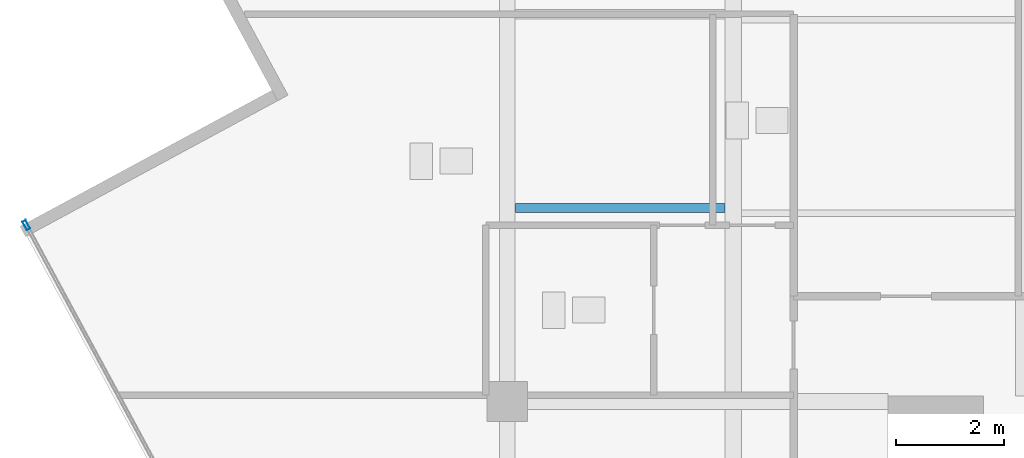
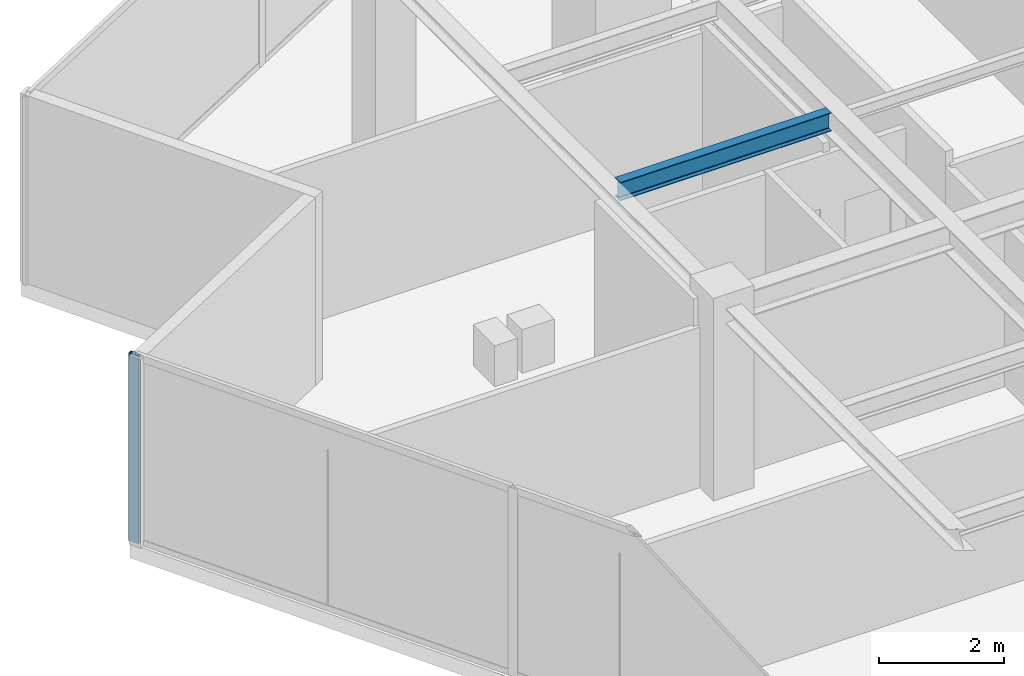
# One storey, part 6 of 22: 1 beam, 1 member, 1 element without a shape of its own.
"""IFC4 building model written with IfcOpenShell, lengths in metres."""

from ifc_helpers import new_model, si_unit, direction, frame, origin, origin_2d, place, context, subcontext, project, spatial, hollow_rectangle, i_section, extrude, source, transform, mapped, material, material_profile, profile_set, type_object, type_shapes, element, aggregate, save


model = new_model("IFC4")

# Units and contexts
model_context = context("Model", 3, precision=1e-05, world=origin(), true_north=direction((0.0, 1.0)))
body_context = subcontext(model_context, "Body", "Model", "MODEL_VIEW")
ifc_project = project(units=[si_unit("LENGTHUNIT", "METRE"), si_unit("AREAUNIT", "SQUARE_METRE"), si_unit("VOLUMEUNIT", "CUBIC_METRE"), si_unit("PLANEANGLEUNIT", "RADIAN"), si_unit("MASSUNIT", "GRAM", prefix="KILO")], contexts=[model_context])

# Site, building, storey
site_placement = place(None, origin())
site = spatial("IfcSite", under=ifc_project, at=site_placement, CompositionType="ELEMENT")
building_placement = place(site_placement, origin())
building = spatial("IfcBuilding", under=site, at=building_placement, Name="Krantzveldt Concourse Tower", CompositionType="ELEMENT")
storey_placement = place(building_placement, frame((0.0, 0.0, 306.89990234375)))
storey = spatial("IfcBuildingStorey", under=building, at=storey_placement, Name="L75", CompositionType="ELEMENT", Elevation=306.89990234375)

# Beam
ifc_material_1 = material(Name="Steel S355JR", Category="steel")
ifc_material_profile_1 = material_profile(ifc_material_1, i_section(OverallWidth=0.169921875, OverallDepth=0.360107421875, WebThickness=0.008056640625, FlangeThickness=0.0126953125, FilletRadius=0.01806640625, at=origin_2d()), Name="Steel S355JR", Category="steel")
ifc_profile_set_1 = profile_set([ifc_material_profile_1], Name="Steel S355JR - IPE 360")
beam_type = type_object("IfcBeamType", Name="BM-J-IPE360", PredefinedType="JOIST", material=ifc_profile_set_1)
shared_shape_1 = source(origin(), body_context, "Body", "SweptSolid", [
    extrude(i_section(OverallWidth=0.169921875, OverallDepth=0.360107421875, WebThickness=0.008056640625, FlangeThickness=0.0126953125, FilletRadius=0.01806640625, at=origin_2d()), origin(), (0.0, 0.0, 1.0), 3.900146484375),
])
type_shapes(beam_type, [shared_shape_1])
beam_placement = place(storey_placement, frame((21.14990234375, 30.300048828125, 3.489990234375), z_axis=(1.0, 0.0, 0.0), x_axis=(0.0, 1.0, 0.0)))
element("IfcBeam", 1, at=beam_placement, inside=storey, type_object=beam_type, Name="L75 Secondary Floor Joist JW-3", PredefinedType="JOIST", context=body_context, shape_type="MappedRepresentation", body=[
    mapped(shared_shape_1, transform((0.0, 0.0, 0.0), x_axis=(1.0, 0.0, 0.0), y_axis=(0.0, 1.0, 0.0), z_axis=(0.0, 0.0, 1.0), scale=1.0)),
])

# Curtain wall, member
ifc_material_2 = material(Name="Anodised aluminium 6063-T6", Category="aluminium")
curtain_wall_type = type_object("IfcCurtainWallType", Name="CW4", PredefinedType="USERDEFINED", material=ifc_material_2)
curtain_wall_placement = place(storey_placement, origin())
curtain_wall = element("IfcCurtainWall", 2, at=curtain_wall_placement, inside=storey, type_object=curtain_wall_type, Name="CW-L75-F04", ObjectType="UNITISED CURTAIN WALL", PredefinedType="USERDEFINED")
ifc_material_profile_2 = material_profile(ifc_material_2, hollow_rectangle(XDim=0.070068359375, YDim=0.179931640625, WallThickness=0.0048828125, at=origin_2d()), Name="Anodised aluminium 6063-T6", Category="aluminium")
ifc_profile_set_2 = profile_set([ifc_material_profile_2], Name="Anodised aluminium 6063-T6 - ALU-MULL 180x70x5")
member_type = type_object("IfcMemberType", Name="CW-MUL-180", PredefinedType="MULLION", material=ifc_profile_set_2)
shared_shape_2 = source(origin(), body_context, "Body", "SweptSolid", [
    extrude(hollow_rectangle(XDim=0.070068359375, YDim=0.179931640625, WallThickness=0.0048828125, at=origin_2d()), origin(), (0.0, 0.0, 1.0), 3.670166015625),
])
type_shapes(member_type, [shared_shape_2])
member_placement = place(storey_placement, frame((12.0546875, 29.979248046875, 0.0), z_axis=(0.0, 0.0, 1.0), x_axis=(0.87985605875, 0.475240271736, 0.0)))
member = element("IfcMember", 3, at=member_placement, type_object=member_type, Name="CW-Z56 mullion 1", PredefinedType="MULLION", context=body_context, shape_type="MappedRepresentation", body=[
    mapped(shared_shape_2, transform((0.0, 0.0, 0.0), x_axis=(1.0, 0.0, 0.0), y_axis=(0.0, 1.0, 0.0), z_axis=(0.0, 0.0, 1.0), scale=1.0)),
])
aggregate(curtain_wall, [member])

save(model, "model.ifc")
